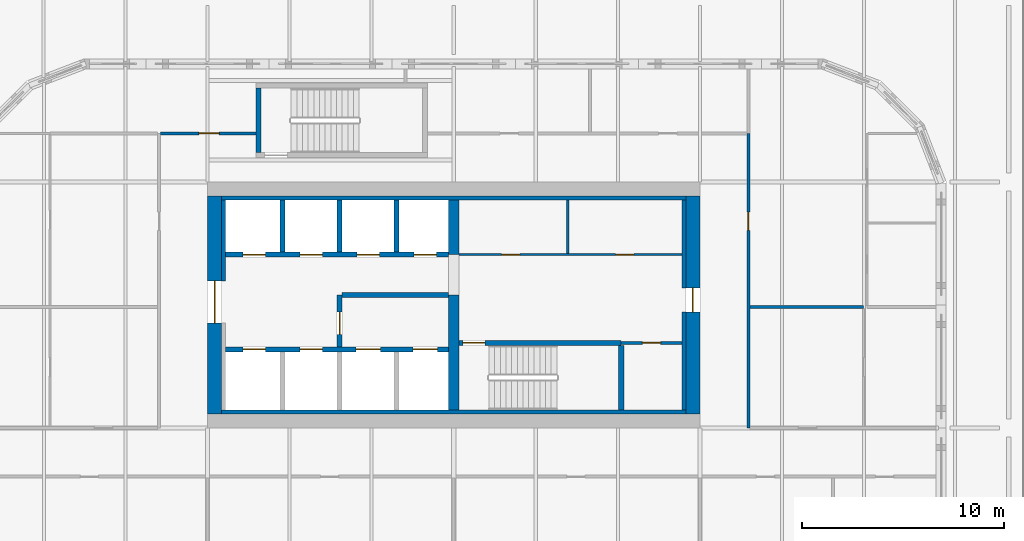
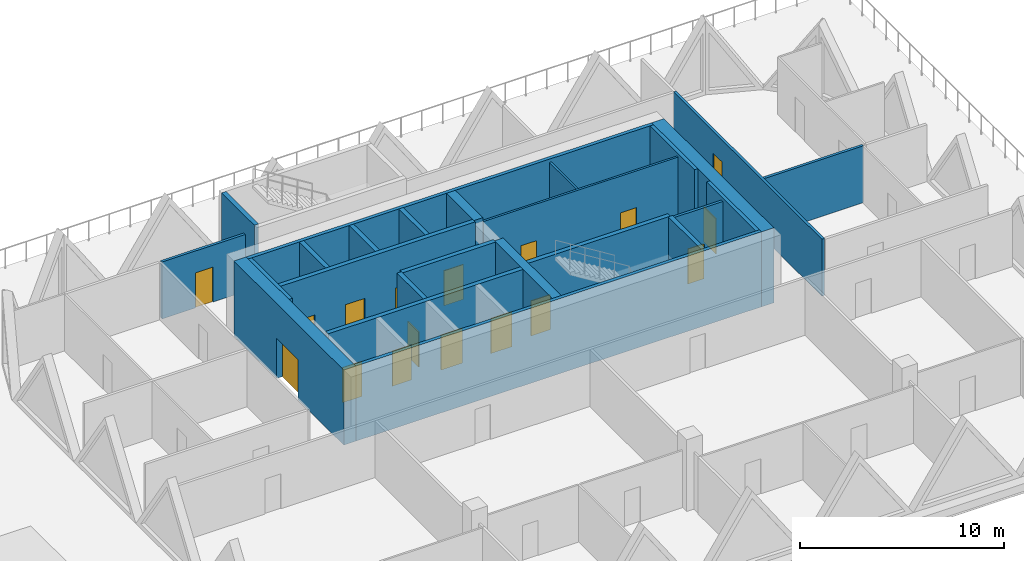
# One storey, part 15 of 21: 25 walls, 17 doors, 17 openings.
"""IFC4 building model written with IfcOpenShell, lengths in metres."""

from ifc_helpers import new_model, si_unit, direction, frame, frame_2d, origin, place, context, subcontext, project, spatial, rectangle, extrude, source, transform, mapped, material, layer, layer_set, type_object, element, fill, save


model = new_model("IFC4")

# Units and contexts
model_context = context("Model", 3, precision=1e-05, world=origin(), true_north=direction((0.0, 1.0)))
body_context = subcontext(model_context, "Body", "Model", "MODEL_VIEW")
ifc_project = project(units=[si_unit("LENGTHUNIT", "METRE"), si_unit("AREAUNIT", "SQUARE_METRE"), si_unit("VOLUMEUNIT", "CUBIC_METRE"), si_unit("PLANEANGLEUNIT", "RADIAN"), si_unit("MASSUNIT", "GRAM", prefix="KILO")], contexts=[model_context])

# Site, building, storey
site_placement = place(None, origin())
site = spatial("IfcSite", under=ifc_project, at=site_placement, CompositionType="ELEMENT")
building_placement = place(site_placement, origin())
building = spatial("IfcBuilding", under=site, at=building_placement, Name="Tessera Gate Towers", CompositionType="ELEMENT")
storey_placement = place(building_placement, frame((0.0, 0.0, 16.800048828125)))
storey = spatial("IfcBuildingStorey", under=building, at=storey_placement, Name="L03", CompositionType="ELEMENT", Elevation=16.800048828125)

# Wall, openings, doors
ifc_material_1 = material(Name="Concrete C40/50", Category="concrete")
ifc_layer_1 = layer(ifc_material_1, 0.25)
ifc_layer_set_1 = layer_set([ifc_layer_1], Name="CORE ENCLOSURE WALL 250")
wall_type_1 = type_object("IfcWallType", Name="CORE ENCLOSURE WALL 250", PredefinedType="SOLIDWALL", material=ifc_layer_set_1)
wall_1_placement = place(storey_placement, frame((98.5, 40.5, 0.0), z_axis=(0.0, 0.0, 1.0), x_axis=(1.0, 0.0, 0.0)))
wall_1 = element("IfcWall", 1, at=wall_1_placement, inside=storey, type_object=wall_type_1, Name="L03 shaft and stair enclosure wall", PredefinedType="SOLIDWALL", context=body_context, shape_type="SweptSolid", body=[
    extrude(rectangle(XDim=11.050048828125, YDim=0.25, at=frame_2d((5.52490234375, 0.0))), origin(), (0.0, 0.0, 1.0), 4.5),
])
shared_shape_1 = source(origin(), body_context, "Body", "SweptSolid", [
    extrude(rectangle(XDim=1.10009765625, YDim=2.10009765625, at=frame_2d((0.550048828125, 1.050048828125))), frame((0.0, 0.135009765625, 0.0), z_axis=(0.0, -1.0, 0.0), x_axis=(1.0, 0.0, 0.0)), (0.0, 0.0, 1.0), 0.27001953125),
])
opening_1_placement = place(wall_1_placement, frame((0.862548828125, 0.0, 0.0)))
opening_1 = element("IfcOpeningElement", 2, at=opening_1_placement, cuts=wall_1, Name="Opening LD-TL1", PredefinedType="OPENING", context=body_context, shape_type="MappedRepresentation", body=[
    mapped(shared_shape_1, transform((0.0, 0.0, 0.0), scale=1.0)),
])
opening_2_placement = place(wall_1_placement, frame((3.6875, 0.0, 0.0)))
opening_2 = element("IfcOpeningElement", 3, at=opening_2_placement, cuts=wall_1, Name="Opening LD-TL2", PredefinedType="OPENING", context=body_context, shape_type="MappedRepresentation", body=[
    mapped(shared_shape_1, transform((0.0, 0.0, 0.0), scale=1.0)),
])
shared_shape_2 = source(origin(), body_context, "Body", "SweptSolid", [
    extrude(rectangle(XDim=1.199951171875, YDim=2.10009765625, at=frame_2d((0.60009765625, 1.050048828125))), frame((0.0, 0.135009765625, 0.0), z_axis=(0.0, -1.0, 0.0), x_axis=(1.0, 0.0, 0.0)), (0.0, 0.0, 1.0), 0.27001953125),
])
opening_3_placement = place(wall_1_placement, frame((6.46240234375, 0.0, 0.0)))
opening_3 = element("IfcOpeningElement", 4, at=opening_3_placement, cuts=wall_1, Name="Opening LD-FF3", PredefinedType="OPENING", context=body_context, shape_type="MappedRepresentation", body=[
    mapped(shared_shape_2, transform((0.0, 0.0, 0.0), scale=1.0)),
])
opening_4_placement = place(wall_1_placement, frame((9.28759765625, 0.0, 0.0)))
opening_4 = element("IfcOpeningElement", 5, at=opening_4_placement, cuts=wall_1, Name="Opening LD-FF4", PredefinedType="OPENING", context=body_context, shape_type="MappedRepresentation", body=[
    mapped(shared_shape_2, transform((0.0, 0.0, 0.0), scale=1.0)),
])
ifc_material_2 = material(Name="Stainless steel", Category="steel")
door_type_1 = type_object("IfcDoorType", Name="CORE DOOR LD1200 1200x2100", OperationType="DOUBLE_DOOR_SLIDING", PredefinedType="DOOR", material=ifc_material_2)
shared_shape_3 = source(origin(), body_context, "Body", "SweptSolid", [
    extrude(rectangle(XDim=1.199951171875, YDim=2.10009765625, at=frame_2d((0.60009765625, 1.050048828125))), frame((0.0, 0.02490234375, 0.0), z_axis=(0.0, -1.0, 0.0), x_axis=(1.0, 0.0, 0.0)), (0.0, 0.0, 1.0), 0.050048828125),
])
door_1_placement = place(opening_3_placement, origin())
door_1 = element("IfcDoor", 6, at=door_1_placement, inside=storey, type_object=door_type_1, Name="Landing door FF3 L03", OperationType="DOUBLE_DOOR_SLIDING", OverallHeight=2.10009765625, OverallWidth=1.199951171875, PredefinedType="DOOR", context=body_context, shape_type="MappedRepresentation", body=[
    mapped(shared_shape_3, transform((0.0, 0.0, 0.0), scale=1.0)),
])
fill(opening_3, door_1)
door_2_placement = place(opening_4_placement, origin())
door_2 = element("IfcDoor", 7, at=door_2_placement, inside=storey, type_object=door_type_1, Name="Landing door FF4 L03", OperationType="DOUBLE_DOOR_SLIDING", OverallHeight=2.10009765625, OverallWidth=1.199951171875, PredefinedType="DOOR", context=body_context, shape_type="MappedRepresentation", body=[
    mapped(shared_shape_3, transform((0.0, 0.0, 0.0), scale=1.0)),
])
fill(opening_4, door_2)
ifc_material_3 = material(Name="Stainless steel", Category="steel")
door_type_2 = type_object("IfcDoorType", Name="CORE DOOR LD 1100x2100", OperationType="DOUBLE_DOOR_SLIDING", PredefinedType="DOOR", material=ifc_material_3)
shared_shape_4 = source(origin(), body_context, "Body", "SweptSolid", [
    extrude(rectangle(XDim=1.10009765625, YDim=2.10009765625, at=frame_2d((0.550048828125, 1.050048828125))), frame((0.0, 0.02490234375, 0.0), z_axis=(0.0, -1.0, 0.0), x_axis=(1.0, 0.0, 0.0)), (0.0, 0.0, 1.0), 0.050048828125),
])
door_3_placement = place(opening_1_placement, origin())
door_3 = element("IfcDoor", 8, at=door_3_placement, inside=storey, type_object=door_type_2, Name="Landing door TL1 L03", OperationType="DOUBLE_DOOR_SLIDING", OverallHeight=2.10009765625, OverallWidth=1.10009765625, PredefinedType="DOOR", context=body_context, shape_type="MappedRepresentation", body=[
    mapped(shared_shape_4, transform((0.0, 0.0, 0.0), scale=1.0)),
])
fill(opening_1, door_3)
door_4_placement = place(opening_2_placement, origin())
door_4 = element("IfcDoor", 9, at=door_4_placement, inside=storey, type_object=door_type_2, Name="Landing door TL2 L03", OperationType="DOUBLE_DOOR_SLIDING", OverallHeight=2.10009765625, OverallWidth=1.10009765625, PredefinedType="DOOR", context=body_context, shape_type="MappedRepresentation", body=[
    mapped(shared_shape_4, transform((0.0, 0.0, 0.0), scale=1.0)),
])
fill(opening_2, door_4)

wall_2_placement = place(storey_placement, frame((109.550048828125, 45.199951171875, 0.0), z_axis=(0.0, 0.0, 1.0), x_axis=(-1.0, 0.0, 0.0)))
wall_2 = element("IfcWall", 10, at=wall_2_placement, inside=storey, type_object=wall_type_1, Name="L03 shaft and stair enclosure wall", PredefinedType="SOLIDWALL", context=body_context, shape_type="SweptSolid", body=[
    extrude(rectangle(XDim=11.050048828125, YDim=0.25, at=frame_2d((5.52490234375, 0.0))), origin(), (0.0, 0.0, 1.0), 4.5),
])
opening_5_placement = place(wall_2_placement, frame((9.08740234375, 0.0, 0.0)))
opening_5 = element("IfcOpeningElement", 11, at=opening_5_placement, cuts=wall_2, Name="Opening LD-TL3", PredefinedType="OPENING", context=body_context, shape_type="MappedRepresentation", body=[
    mapped(shared_shape_1, transform((0.0, 0.0, 0.0), scale=1.0)),
])
opening_6_placement = place(wall_2_placement, frame((6.262451171875, 0.0, 0.0)))
opening_6 = element("IfcOpeningElement", 12, at=opening_6_placement, cuts=wall_2, Name="Opening LD-TL4", PredefinedType="OPENING", context=body_context, shape_type="MappedRepresentation", body=[
    mapped(shared_shape_1, transform((0.0, 0.0, 0.0), scale=1.0)),
])
opening_7_placement = place(wall_2_placement, frame((3.4375, 0.0, 0.0)))
opening_7 = element("IfcOpeningElement", 13, at=opening_7_placement, cuts=wall_2, Name="Opening LD-TL5", PredefinedType="OPENING", context=body_context, shape_type="MappedRepresentation", body=[
    mapped(shared_shape_1, transform((0.0, 0.0, 0.0), scale=1.0)),
])
opening_8_placement = place(wall_2_placement, frame((0.612548828125, 0.0, 0.0)))
opening_8 = element("IfcOpeningElement", 14, at=opening_8_placement, cuts=wall_2, Name="Opening LD-TL6", PredefinedType="OPENING", context=body_context, shape_type="MappedRepresentation", body=[
    mapped(shared_shape_1, transform((0.0, 0.0, 0.0), scale=1.0)),
])
door_5_placement = place(opening_5_placement, origin())
door_5 = element("IfcDoor", 15, at=door_5_placement, inside=storey, type_object=door_type_2, Name="Landing door TL3 L03", OperationType="DOUBLE_DOOR_SLIDING", OverallHeight=2.10009765625, OverallWidth=1.10009765625, PredefinedType="DOOR", context=body_context, shape_type="MappedRepresentation", body=[
    mapped(shared_shape_4, transform((0.0, 0.0, 0.0), scale=1.0)),
])
fill(opening_5, door_5)
door_6_placement = place(opening_6_placement, origin())
door_6 = element("IfcDoor", 16, at=door_6_placement, inside=storey, type_object=door_type_2, Name="Landing door TL4 L03", OperationType="DOUBLE_DOOR_SLIDING", OverallHeight=2.10009765625, OverallWidth=1.10009765625, PredefinedType="DOOR", context=body_context, shape_type="MappedRepresentation", body=[
    mapped(shared_shape_4, transform((0.0, 0.0, 0.0), scale=1.0)),
])
fill(opening_6, door_6)
door_7_placement = place(opening_7_placement, origin())
door_7 = element("IfcDoor", 17, at=door_7_placement, inside=storey, type_object=door_type_2, Name="Landing door TL5 L03", OperationType="DOUBLE_DOOR_SLIDING", OverallHeight=2.10009765625, OverallWidth=1.10009765625, PredefinedType="DOOR", context=body_context, shape_type="MappedRepresentation", body=[
    mapped(shared_shape_4, transform((0.0, 0.0, 0.0), scale=1.0)),
])
fill(opening_7, door_7)
door_8_placement = place(opening_8_placement, origin())
door_8 = element("IfcDoor", 18, at=door_8_placement, inside=storey, type_object=door_type_2, Name="Landing door TL6 L03", OperationType="DOUBLE_DOOR_SLIDING", OverallHeight=2.10009765625, OverallWidth=1.10009765625, PredefinedType="DOOR", context=body_context, shape_type="MappedRepresentation", body=[
    mapped(shared_shape_4, transform((0.0, 0.0, 0.0), scale=1.0)),
])
fill(opening_8, door_8)

# Wall, opening, door
wall_3_placement = place(storey_placement, frame((118.10009765625, 40.824951171875, 0.0), z_axis=(0.0, 0.0, 1.0), x_axis=(-1.0, 0.0, 0.0)))
wall_3 = element("IfcWall", 19, at=wall_3_placement, inside=storey, type_object=wall_type_1, Name="L03 shaft and stair enclosure wall", PredefinedType="SOLIDWALL", context=body_context, shape_type="SweptSolid", body=[
    extrude(rectangle(XDim=8.050048828125, YDim=0.25, at=frame_2d((4.02490234375, 0.0))), origin(), (0.0, 0.0, 1.0), 4.5),
])
opening_9_placement = place(wall_3_placement, frame((6.75, 0.0, 0.0)))
opening_9 = element("IfcOpeningElement", 20, at=opening_9_placement, cuts=wall_3, Name="Opening SD-ST6-1", PredefinedType="OPENING", context=body_context, shape_type="MappedRepresentation", body=[
    mapped(shared_shape_1, transform((0.0, 0.0, 0.0), scale=1.0)),
])
ifc_material_4 = material(Name="Hollow steel fire door", Category="steel")
door_type_3 = type_object("IfcDoorType", Name="CORE DOOR SD1100 1100x2100", OperationType="NOTDEFINED", PredefinedType="DOOR", material=ifc_material_4)
door_9_placement = place(opening_9_placement, origin())
door_9 = element("IfcDoor", 21, at=door_9_placement, inside=storey, type_object=door_type_3, Name="Stair door", OperationType="SINGLE_SWING_RIGHT", OverallHeight=2.10009765625, OverallWidth=1.10009765625, PredefinedType="DOOR", context=body_context, shape_type="MappedRepresentation", body=[
    mapped(shared_shape_4, transform((0.0, 0.0, 0.0), scale=1.0)),
])
fill(opening_9, door_9)

wall_4_placement = place(storey_placement, frame((104.14990234375, 43.199951171875, 0.0), z_axis=(0.0, 0.0, 1.0), x_axis=(0.0, -1.0, 0.0)))
wall_4 = element("IfcWall", 22, at=wall_4_placement, inside=storey, type_object=wall_type_1, Name="L03 shaft and stair enclosure wall", PredefinedType="SOLIDWALL", context=body_context, shape_type="SweptSolid", body=[
    extrude(rectangle(XDim=2.574951171875, YDim=0.25, at=frame_2d((1.28759765625, 0.0))), origin(), (0.0, 0.0, 1.0), 4.5),
])
opening_10_placement = place(wall_4_placement, frame((0.85009765625, 0.0, 0.0)))
opening_10 = element("IfcOpeningElement", 23, at=opening_10_placement, cuts=wall_4, Name="Opening FD-T2-04-03", PredefinedType="OPENING", context=body_context, shape_type="MappedRepresentation", body=[
    mapped(shared_shape_1, transform((0.0, 0.0, 0.0), scale=1.0)),
])
ifc_material_5 = material(Name="Hollow steel fire door", Category="steel")
door_type_4 = type_object("IfcDoorType", Name="CORE DOOR FD 1100x2100", OperationType="NOTDEFINED", PredefinedType="DOOR", material=ifc_material_5)
door_10_placement = place(opening_10_placement, origin())
door_10 = element("IfcDoor", 24, at=door_10_placement, inside=storey, type_object=door_type_4, Name="Fire-fighting lobby door", OperationType="SINGLE_SWING_RIGHT", OverallHeight=2.10009765625, OverallWidth=1.10009765625, PredefinedType="DOOR", context=body_context, shape_type="MappedRepresentation", body=[
    mapped(shared_shape_4, transform((0.0, 0.0, 0.0), scale=1.0)),
])
fill(opening_10, door_10)

# Walls
wall_5_placement = place(storey_placement, frame((104.27490234375, 43.199951171875, 0.0), z_axis=(0.0, 0.0, 1.0), x_axis=(1.0, 0.0, 0.0)))
element("IfcWall", 25, at=wall_5_placement, inside=storey, type_object=wall_type_1, Name="L03 shaft and stair enclosure wall", PredefinedType="SOLIDWALL", context=body_context, shape_type="SweptSolid", body=[
    extrude(rectangle(XDim=5.275146484375, YDim=0.25, at=frame_2d((2.6376953125, 0.0))), origin(), (0.0, 0.0, 1.0), 4.5),
])
wall_6_placement = place(storey_placement, frame((118.10009765625, 37.5, 0.0), z_axis=(0.0, 0.0, 1.0), x_axis=(0.0, 1.0, 0.0)))
element("IfcWall", 26, at=wall_6_placement, inside=storey, type_object=wall_type_1, Name="L03 shaft and stair enclosure wall", PredefinedType="SOLIDWALL", context=body_context, shape_type="SweptSolid", body=[
    extrude(rectangle(XDim=3.199951171875, YDim=0.25, at=frame_2d((1.60009765625, 0.0))), origin(), (0.0, 0.0, 1.0), 4.5),
])
for number, where, z_axis, x_axis, name in (
    (27, (101.324951171875, 45.324951171875, 0.0), (0.0, 0.0, 1.0), (0.0, 1.0, 0.0), "L03 shaft and stair enclosure wall"),
    (28, (104.14990234375, 45.324951171875, 0.0), (0.0, 0.0, 1.0), (0.0, 1.0, 0.0), "L03 shaft and stair enclosure wall"),
    (29, (106.97509765625, 45.324951171875, 0.0), (0.0, 0.0, 1.0), (0.0, 1.0, 0.0), "L03 shaft and stair enclosure wall"),
):
    element("IfcWall", number, at=place(storey_placement, frame(where, z_axis=z_axis, x_axis=x_axis)), inside=storey, type_object=wall_type_1, Name=name, PredefinedType="SOLIDWALL", context=body_context, shape_type="SweptSolid", body=[
        extrude(rectangle(XDim=2.574951171875, YDim=0.25, at=frame_2d((1.28759765625, 0.0))), origin(), (0.0, 0.0, 1.0), 4.5),
    ])
wall_7_placement = place(storey_placement, frame((100.125, 50.25, 0.0), z_axis=(0.0, 0.0, 1.0), x_axis=(0.0, 1.0, 0.0)))
element("IfcWall", 30, at=wall_7_placement, inside=storey, type_object=wall_type_1, Name="L03 ST7 enclosure wall", PredefinedType="SOLIDWALL", context=body_context, shape_type="SweptSolid", body=[
    extrude(rectangle(XDim=3.199951171875, YDim=0.25, at=frame_2d((1.60009765625, 0.0))), origin(), (0.0, 0.0, 1.0), 4.5),
])

# Wall, openings, doors
ifc_material_6 = material(Name="Gypsum board on steel studs", Category="steel")
ifc_layer_2 = layer(ifc_material_6, 0.1201171875)
ifc_layer_set_2 = layer_set([ifc_layer_2], Name="CORE PARTITION 120")
wall_type_2 = type_object("IfcWallType", Name="CORE PARTITION 120", PredefinedType="PARTITIONING", material=ifc_layer_set_2)
wall_8_placement = place(storey_placement, frame((110.050048828125, 45.199951171875, 0.0), z_axis=(0.0, 0.0, 1.0), x_axis=(1.0, 0.0, 0.0)))
wall_8 = element("IfcWall", 31, at=wall_8_placement, inside=storey, type_object=wall_type_2, Name="L03 core partition", PredefinedType="PARTITIONING", context=body_context, shape_type="SweptSolid", body=[
    extrude(rectangle(XDim=11.050048828125, YDim=0.1201171875, at=frame_2d((5.52490234375, 0.0))), origin(), (0.0, 0.0, 1.0), 4.300048828125),
])
shared_shape_5 = source(origin(), body_context, "Body", "SweptSolid", [
    extrude(rectangle(XDim=0.89990234375, YDim=2.10009765625, at=frame_2d((0.449951171875, 1.050048828125))), frame((0.0, 0.070068359375, 0.0), z_axis=(0.0, -1.0, 0.0), x_axis=(1.0, 0.0, 0.0)), (0.0, 0.0, 1.0), 0.14013671875),
])
opening_11_placement = place(wall_8_placement, frame((2.125, 0.0, 0.0)))
opening_11 = element("IfcOpeningElement", 32, at=opening_11_placement, cuts=wall_8, Name="Opening RD-T2-04-04", PredefinedType="OPENING", context=body_context, shape_type="MappedRepresentation", body=[
    mapped(shared_shape_5, transform((0.0, 0.0, 0.0), scale=1.0)),
])
opening_12_placement = place(wall_8_placement, frame((7.77490234375, 0.0, 0.0)))
opening_12 = element("IfcOpeningElement", 33, at=opening_12_placement, cuts=wall_8, Name="Opening RD-T2-04-05", PredefinedType="OPENING", context=body_context, shape_type="MappedRepresentation", body=[
    mapped(shared_shape_5, transform((0.0, 0.0, 0.0), scale=1.0)),
])
ifc_material_7 = material(Name="Hollow steel fire door", Category="steel")
door_type_5 = type_object("IfcDoorType", Name="CORE DOOR RD 900x2100", OperationType="NOTDEFINED", PredefinedType="DOOR", material=ifc_material_7)
shared_shape_6 = source(origin(), body_context, "Body", "SweptSolid", [
    extrude(rectangle(XDim=0.89990234375, YDim=2.10009765625, at=frame_2d((0.449951171875, 1.050048828125))), frame((0.0, 0.02490234375, 0.0), z_axis=(0.0, -1.0, 0.0), x_axis=(1.0, 0.0, 0.0)), (0.0, 0.0, 1.0), 0.050048828125),
])
door_11_placement = place(opening_11_placement, origin())
door_11 = element("IfcDoor", 34, at=door_11_placement, inside=storey, type_object=door_type_5, Name="Core room door", OperationType="SINGLE_SWING_LEFT", OverallHeight=2.10009765625, OverallWidth=0.89990234375, PredefinedType="DOOR", context=body_context, shape_type="MappedRepresentation", body=[
    mapped(shared_shape_6, transform((0.0, 0.0, 0.0), scale=1.0)),
])
fill(opening_11, door_11)
door_12_placement = place(opening_12_placement, origin())
door_12 = element("IfcDoor", 35, at=door_12_placement, inside=storey, type_object=door_type_5, Name="Core room door", OperationType="SINGLE_SWING_RIGHT", OverallHeight=2.10009765625, OverallWidth=0.89990234375, PredefinedType="DOOR", context=body_context, shape_type="MappedRepresentation", body=[
    mapped(shared_shape_6, transform((0.0, 0.0, 0.0), scale=1.0)),
])
fill(opening_12, door_12)

# Wall
wall_9_placement = place(storey_placement, frame((115.449951171875, 45.260009765625, 0.0), z_axis=(0.0, 0.0, 1.0), x_axis=(0.0, 1.0, 0.0)))
element("IfcWall", 36, at=wall_9_placement, inside=storey, type_object=wall_type_2, Name="L03 core partition", PredefinedType="PARTITIONING", context=body_context, shape_type="SweptSolid", body=[
    extrude(rectangle(XDim=2.639892578125, YDim=0.1201171875, at=frame_2d((1.31982421875, 0.0))), origin(), (0.0, 0.0, 1.0), 4.300048828125),
])

# Wall, opening, door
ifc_material_8 = material(Name="Concrete C60/75", Category="concrete")
ifc_layer_3 = layer(ifc_material_8, 0.699951171875)
ifc_layer_set_3 = layer_set([ifc_layer_3], Name="CORE SHEAR WALL 700 C60/75")
wall_type_3 = type_object("IfcWallType", Name="CORE SHEAR WALL 700 C60/75", PredefinedType="SHEAR", material=ifc_layer_set_3)
wall_10_placement = place(storey_placement, frame((97.949951171875, 37.300048828125, 0.0), z_axis=(0.0, 0.0, 1.0), x_axis=(0.0, 1.0, 0.0)))
wall_10 = element("IfcWall", 37, at=wall_10_placement, inside=storey, type_object=wall_type_3, Name="Core wall W L03", PredefinedType="SHEAR", context=body_context, shape_type="SweptSolid", body=[
    extrude(rectangle(XDim=10.800048828125, YDim=0.699951171875, at=frame_2d((5.39990234375, 0.0))), origin(), (0.0, 0.0, 1.0), 4.5),
])
shared_shape_7 = source(origin(), body_context, "Body", "SweptSolid", [
    extrude(rectangle(XDim=2.10009765625, YDim=2.39990234375, at=frame_2d((1.050048828125, 1.199951171875))), frame((0.0, 0.35986328125, 0.0), z_axis=(0.0, -1.0, 0.0), x_axis=(1.0, 0.0, 0.0)), (0.0, 0.0, 1.0), 0.719970703125),
])
opening_13_placement = place(wall_10_placement, frame((4.5, 0.0, 0.0)))
opening_13 = element("IfcOpeningElement", 38, at=opening_13_placement, cuts=wall_10, Name="Opening DD-T2-04-01", PredefinedType="OPENING", context=body_context, shape_type="MappedRepresentation", body=[
    mapped(shared_shape_7, transform((0.0, 0.0, 0.0), scale=1.0)),
])
ifc_material_9 = material(Name="Hollow steel fire door", Category="steel")
door_type_6 = type_object("IfcDoorType", Name="CORE DOOR DD 2100x2400", OperationType="NOTDEFINED", PredefinedType="DOOR", material=ifc_material_9)
shared_shape_8 = source(origin(), body_context, "Body", "SweptSolid", [
    extrude(rectangle(XDim=2.10009765625, YDim=2.39990234375, at=frame_2d((1.050048828125, 1.199951171875))), frame((0.0, 0.02490234375, 0.0), z_axis=(0.0, -1.0, 0.0), x_axis=(1.0, 0.0, 0.0)), (0.0, 0.0, 1.0), 0.050048828125),
])
door_13_placement = place(opening_13_placement, origin())
door_13 = element("IfcDoor", 39, at=door_13_placement, inside=storey, type_object=door_type_6, Name="Core entrance door", OperationType="DOUBLE_DOOR_SINGLE_SWING", OverallHeight=2.39990234375, OverallWidth=2.10009765625, PredefinedType="DOOR", context=body_context, shape_type="MappedRepresentation", body=[
    mapped(shared_shape_8, transform((0.0, 0.0, 0.0), scale=1.0)),
])
fill(opening_13, door_13)

wall_11_placement = place(storey_placement, frame((121.64990234375, 48.10009765625, 0.0), z_axis=(0.0, 0.0, 1.0), x_axis=(0.0, -1.0, 0.0)))
wall_11 = element("IfcWall", 40, at=wall_11_placement, inside=storey, type_object=wall_type_3, Name="Core wall E L03", PredefinedType="SHEAR", context=body_context, shape_type="SweptSolid", body=[
    extrude(rectangle(XDim=10.800048828125, YDim=0.699951171875, at=frame_2d((5.39990234375, 0.0))), origin(), (0.0, 0.0, 1.0), 4.5),
])
shared_shape_9 = source(origin(), body_context, "Body", "SweptSolid", [
    extrude(rectangle(XDim=1.199951171875, YDim=2.10009765625, at=frame_2d((0.60009765625, 1.050048828125))), frame((0.0, 0.35986328125, 0.0), z_axis=(0.0, -1.0, 0.0), x_axis=(1.0, 0.0, 0.0)), (0.0, 0.0, 1.0), 0.719970703125),
])
opening_14_placement = place(wall_11_placement, frame((4.550048828125, 0.0, 0.0)))
opening_14 = element("IfcOpeningElement", 41, at=opening_14_placement, cuts=wall_11, Name="Opening ED-T2-04-02", PredefinedType="OPENING", context=body_context, shape_type="MappedRepresentation", body=[
    mapped(shared_shape_9, transform((0.0, 0.0, 0.0), scale=1.0)),
])
ifc_material_10 = material(Name="Hollow steel fire door", Category="steel")
door_type_7 = type_object("IfcDoorType", Name="CORE DOOR ED 1200x2100", OperationType="NOTDEFINED", PredefinedType="DOOR", material=ifc_material_10)
door_14_placement = place(opening_14_placement, origin())
door_14 = element("IfcDoor", 42, at=door_14_placement, inside=storey, type_object=door_type_7, Name="Core exit door", OperationType="SINGLE_SWING_LEFT", OverallHeight=2.10009765625, OverallWidth=1.199951171875, PredefinedType="DOOR", context=body_context, shape_type="MappedRepresentation", body=[
    mapped(shared_shape_3, transform((0.0, 0.0, 0.0), scale=1.0)),
])
fill(opening_14, door_14)

# Walls
ifc_material_11 = material(Name="Concrete C60/75", Category="concrete")
ifc_layer_4 = layer(ifc_material_11, 0.5)
ifc_layer_set_4 = layer_set([ifc_layer_4], Name="CORE SPINE WALL 500 C60/75")
wall_type_4 = type_object("IfcWallType", Name="CORE SPINE WALL 500 C60/75", PredefinedType="SHEAR", material=ifc_layer_set_4)
wall_12_placement = place(storey_placement, frame((109.800048828125, 37.5, 0.0), z_axis=(0.0, 0.0, 1.0), x_axis=(0.0, 1.0, 0.0)))
element("IfcWall", 43, at=wall_12_placement, inside=storey, type_object=wall_type_4, Name="Core wall spine L03", PredefinedType="SHEAR", context=body_context, shape_type="SweptSolid", body=[
    extrude(rectangle(XDim=5.699951171875, YDim=0.5, at=frame_2d((2.85009765625, 0.0))), origin(), (0.0, 0.0, 1.0), 4.5),
])
wall_13_placement = place(storey_placement, frame((109.800048828125, 45.199951171875, 0.0), z_axis=(0.0, 0.0, 1.0), x_axis=(0.0, 1.0, 0.0)))
element("IfcWall", 44, at=wall_13_placement, inside=storey, type_object=wall_type_4, Name="Core wall spine L03", PredefinedType="SHEAR", context=body_context, shape_type="SweptSolid", body=[
    extrude(rectangle(XDim=2.699951171875, YDim=0.5, at=frame_2d((1.35009765625, 0.0))), origin(), (0.0, 0.0, 1.0), 4.5),
])
ifc_material_12 = material(Name="Concrete C60/75", Category="concrete")
ifc_layer_5 = layer(ifc_material_12, 0.199951171875)
ifc_layer_set_5 = layer_set([ifc_layer_5], Name="CORE WALL THICKENING 200")
wall_type_5 = type_object("IfcWallType", Name="CORE WALL THICKENING 200", PredefinedType="SOLIDWALL", material=ifc_layer_set_5)
for number, where, z_axis, x_axis, name in (
    (45, (98.300048828125, 37.39990234375, 0.0), (0.0, 0.0, 1.0), (1.0, 0.0, 0.0), "Core wall thickening S L03"),
    (46, (98.300048828125, 48.0, 0.0), (0.0, 0.0, 1.0), (1.0, 0.0, 0.0), "Core wall thickening N L03"),
):
    element("IfcWall", number, at=place(storey_placement, frame(where, z_axis=z_axis, x_axis=x_axis)), inside=storey, type_object=wall_type_5, Name=name, PredefinedType="SOLIDWALL", context=body_context, shape_type="SweptSolid", body=[
        extrude(rectangle(XDim=23.0, YDim=0.199951171875, at=frame_2d((11.5, 0.0))), origin(), (0.0, 0.0, 1.0), 4.5),
    ])
wall_14_placement = place(storey_placement, frame((98.39990234375, 43.89990234375, 0.0), z_axis=(0.0, 0.0, 1.0), x_axis=(0.0, 1.0, 0.0)))
element("IfcWall", 47, at=wall_14_placement, inside=storey, type_object=wall_type_5, Name="Core wall thickening W L03", PredefinedType="SOLIDWALL", context=body_context, shape_type="SweptSolid", body=[
    extrude(rectangle(XDim=4.0, YDim=0.199951171875, at=frame_2d((2.0, 0.0))), origin(), (0.0, 0.0, 1.0), 4.5),
])
wall_15_placement = place(storey_placement, frame((121.199951171875, 37.5, 0.0), z_axis=(0.0, 0.0, 1.0), x_axis=(0.0, 1.0, 0.0)))
element("IfcWall", 48, at=wall_15_placement, inside=storey, type_object=wall_type_5, Name="Core wall thickening E L03", PredefinedType="SOLIDWALL", context=body_context, shape_type="SweptSolid", body=[
    extrude(rectangle(XDim=4.85009765625, YDim=0.199951171875, at=frame_2d((2.425048828125, 0.0))), origin(), (0.0, 0.0, 1.0), 4.5),
])
wall_16_placement = place(storey_placement, frame((121.199951171875, 43.550048828125, 0.0), z_axis=(0.0, 0.0, 1.0), x_axis=(0.0, 1.0, 0.0)))
element("IfcWall", 49, at=wall_16_placement, inside=storey, type_object=wall_type_5, Name="Core wall thickening E L03", PredefinedType="SOLIDWALL", context=body_context, shape_type="SweptSolid", body=[
    extrude(rectangle(XDim=4.349853515625, YDim=0.199951171875, at=frame_2d((2.1748046875, 0.0))), origin(), (0.0, 0.0, 1.0), 4.5),
])

# Wall, opening, door
ifc_material_13 = material(Name="Gypsum board on steel studs, mineral wool", Category="steel")
ifc_layer_6 = layer(ifc_material_13, 0.14990234375)
ifc_layer_set_6 = layer_set([ifc_layer_6], Name="CORRIDOR WALL 150")
wall_type_6 = type_object("IfcWallType", Name="CORRIDOR WALL 150", PredefinedType="PARTITIONING", material=ifc_layer_set_6)
wall_17_placement = place(storey_placement, frame((124.39990234375, 51.199951171875, 0.0), z_axis=(0.0, 0.0, 1.0), x_axis=(0.0, -1.0, 0.0)))
wall_17 = element("IfcWall", 50, at=wall_17_placement, inside=storey, type_object=wall_type_6, Name="T2-L03-PW-025", PredefinedType="PARTITIONING", context=body_context, shape_type="SweptSolid", body=[
    extrude(rectangle(XDim=14.599853515625, YDim=0.14990234375, at=frame_2d((7.2998046875, 0.0))), origin(), (0.0, 0.0, 1.0), 3.4150390625),
])
shared_shape_10 = source(origin(), body_context, "Body", "SweptSolid", [
    extrude(rectangle(XDim=0.89990234375, YDim=2.10009765625, at=frame_2d((0.449951171875, 1.050048828125))), frame((0.0, 0.0849609375, 0.0), z_axis=(0.0, -1.0, 0.0), x_axis=(1.0, 0.0, 0.0)), (0.0, 0.0, 1.0), 0.169921875),
])
opening_15_placement = place(wall_17_placement, frame((3.89990234375, 0.0, 0.0)))
opening_15 = element("IfcOpeningElement", 51, at=opening_15_placement, cuts=wall_17, Name="Opening D890FD60-B01-06", PredefinedType="OPENING", context=body_context, shape_type="MappedRepresentation", body=[
    mapped(shared_shape_10, transform((0.0, 0.0, 0.0), scale=1.0)),
])
ifc_material_14 = material(Name="Timber door leaf in steel frame", Category="steel")
door_type_8 = type_object("IfcDoorType", Name="CORRIDOR DOOR 900 FD60", OperationType="NOTDEFINED", PredefinedType="DOOR", material=ifc_material_14)
door_15_placement = place(opening_15_placement, origin())
door_15 = element("IfcDoor", 52, at=door_15_placement, inside=storey, type_object=door_type_8, Name="T2-L03-PD-020", OperationType="SINGLE_SWING_RIGHT", OverallHeight=2.10009765625, OverallWidth=0.89990234375, PredefinedType="DOOR", context=body_context, shape_type="MappedRepresentation", body=[
    mapped(shared_shape_6, transform((0.0, 0.0, 0.0), scale=1.0)),
])
fill(opening_15, door_15)

wall_18_placement = place(storey_placement, frame((95.27587890625, 51.199951171875, 0.0), z_axis=(0.0, 0.0, 1.0), x_axis=(1.0, 0.0, 0.0)))
wall_18 = element("IfcWall", 53, at=wall_18_placement, inside=storey, type_object=wall_type_6, Name="T2-L03-PW-037", PredefinedType="PARTITIONING", context=body_context, shape_type="SweptSolid", body=[
    extrude(rectangle(XDim=4.72412109375, YDim=0.14990234375, at=frame_2d((2.362060546875, 0.0))), origin(), (0.0, 0.0, 1.0), 3.4150390625),
])
shared_shape_11 = source(origin(), body_context, "Body", "SweptSolid", [
    extrude(rectangle(XDim=1.0, YDim=2.10009765625, at=frame_2d((0.5, 1.050048828125))), frame((0.0, 0.0849609375, 0.0), z_axis=(0.0, -1.0, 0.0), x_axis=(1.0, 0.0, 0.0)), (0.0, 0.0, 1.0), 0.169921875),
])
opening_16_placement = place(wall_18_placement, frame((1.89990234375, 0.0, 0.0)))
opening_16 = element("IfcOpeningElement", 54, at=opening_16_placement, cuts=wall_18, Name="Opening D2100FD60-B01-01", PredefinedType="OPENING", context=body_context, shape_type="MappedRepresentation", body=[
    mapped(shared_shape_11, transform((0.0, 0.0, 0.0), scale=1.0)),
])
ifc_material_15 = material(Name="Timber door leaf in steel frame", Category="steel")
door_type_9 = type_object("IfcDoorType", Name="TENANCY ENTRANCE DOOR 1000 FD60", OperationType="NOTDEFINED", PredefinedType="DOOR", material=ifc_material_15)
shared_shape_12 = source(origin(), body_context, "Body", "SweptSolid", [
    extrude(rectangle(XDim=1.0, YDim=2.10009765625, at=frame_2d((0.5, 1.050048828125))), frame((0.0, 0.02490234375, 0.0), z_axis=(0.0, -1.0, 0.0), x_axis=(1.0, 0.0, 0.0)), (0.0, 0.0, 1.0), 0.050048828125),
])
door_16_placement = place(opening_16_placement, origin())
door_16 = element("IfcDoor", 55, at=door_16_placement, inside=storey, type_object=door_type_9, Name="T2-L03-PD-002", OperationType="SINGLE_SWING_LEFT", OverallHeight=2.10009765625, OverallWidth=1.0, PredefinedType="DOOR", context=body_context, shape_type="MappedRepresentation", body=[
    mapped(shared_shape_12, transform((0.0, 0.0, 0.0), scale=1.0)),
])
fill(opening_16, door_16)

ifc_material_16 = material(Name="Gypsum board on steel studs", Category="steel")
ifc_layer_7 = layer(ifc_material_16, 0.14990234375)
ifc_layer_set_7 = layer_set([ifc_layer_7], Name="SERVICE ROOM WALL 150")
wall_type_7 = type_object("IfcWallType", Name="SERVICE ROOM WALL 150", PredefinedType="PARTITIONING", material=ifc_layer_set_7)
wall_19_placement = place(storey_placement, frame((121.10009765625, 40.824951171875, 0.0), z_axis=(0.0, 0.0, 1.0), x_axis=(-1.0, 0.0, 0.0)))
wall_19 = element("IfcWall", 56, at=wall_19_placement, inside=storey, type_object=wall_type_7, Name="L03 service room wall", PredefinedType="PARTITIONING", context=body_context, shape_type="SweptSolid", body=[
    extrude(rectangle(XDim=3.0, YDim=0.14990234375, at=frame_2d((1.5, 0.0))), origin(), (0.0, 0.0, 1.0), 4.300048828125),
])
opening_17_placement = place(wall_19_placement, frame((1.050048828125, 0.0, 0.0)))
opening_17 = element("IfcOpeningElement", 57, at=opening_17_placement, cuts=wall_19, Name="Opening RD-T2-04-06", PredefinedType="OPENING", context=body_context, shape_type="MappedRepresentation", body=[
    mapped(shared_shape_10, transform((0.0, 0.0, 0.0), scale=1.0)),
])
door_17_placement = place(opening_17_placement, origin())
door_17 = element("IfcDoor", 58, at=door_17_placement, inside=storey, type_object=door_type_5, Name="Core room door", OperationType="SINGLE_SWING_RIGHT", OverallHeight=2.10009765625, OverallWidth=0.89990234375, PredefinedType="DOOR", context=body_context, shape_type="MappedRepresentation", body=[
    mapped(shared_shape_6, transform((0.0, 0.0, 0.0), scale=1.0)),
])
fill(opening_17, door_17)

# Wall
ifc_material_17 = material(Name="Gypsum board on steel studs, mineral wool", Category="steel")
ifc_layer_8 = layer(ifc_material_17, 0.14990234375)
ifc_layer_set_8 = layer_set([ifc_layer_8], Name="TENANCY WALL 150")
wall_type_8 = type_object("IfcWallType", Name="TENANCY WALL 150", PredefinedType="PARTITIONING", material=ifc_layer_set_8)
wall_20_placement = place(storey_placement, frame((124.47607421875, 42.60009765625, 0.0), z_axis=(0.0, 0.0, 1.0), x_axis=(1.0, 0.0, 0.0)))
element("IfcWall", 59, at=wall_20_placement, inside=storey, type_object=wall_type_8, Name="T2-L03-PW-030", PredefinedType="PARTITIONING", context=body_context, shape_type="SweptSolid", body=[
    extrude(rectangle(XDim=5.6240234375, YDim=0.14990234375, at=frame_2d((2.81201171875, 0.0))), origin(), (0.0, 0.0, 1.0), 3.4150390625),
])

save(model, "model.ifc")
